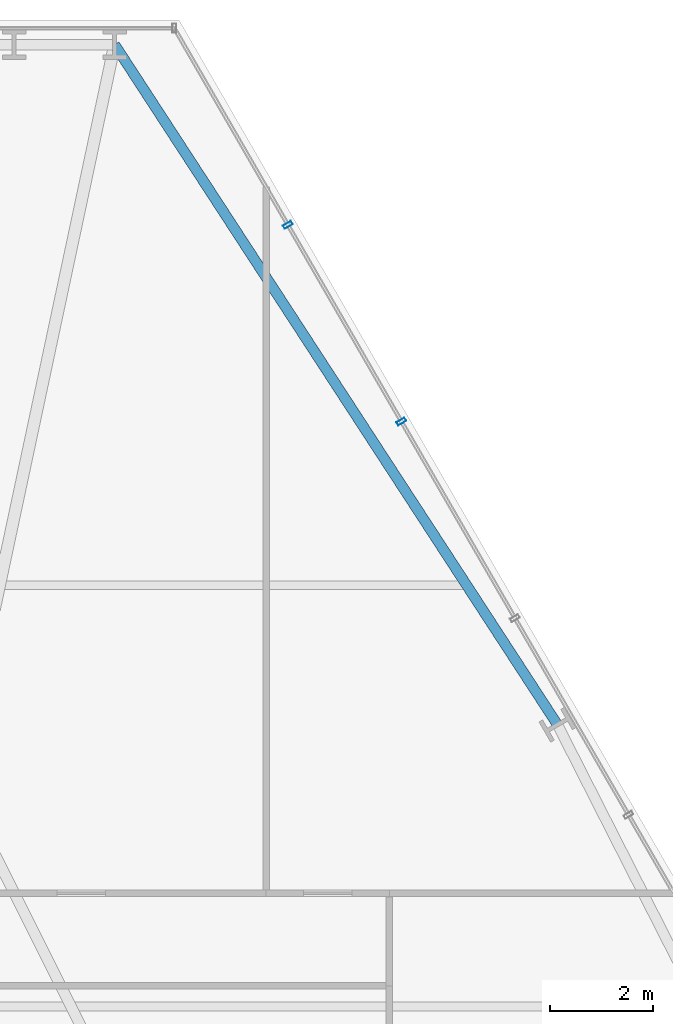
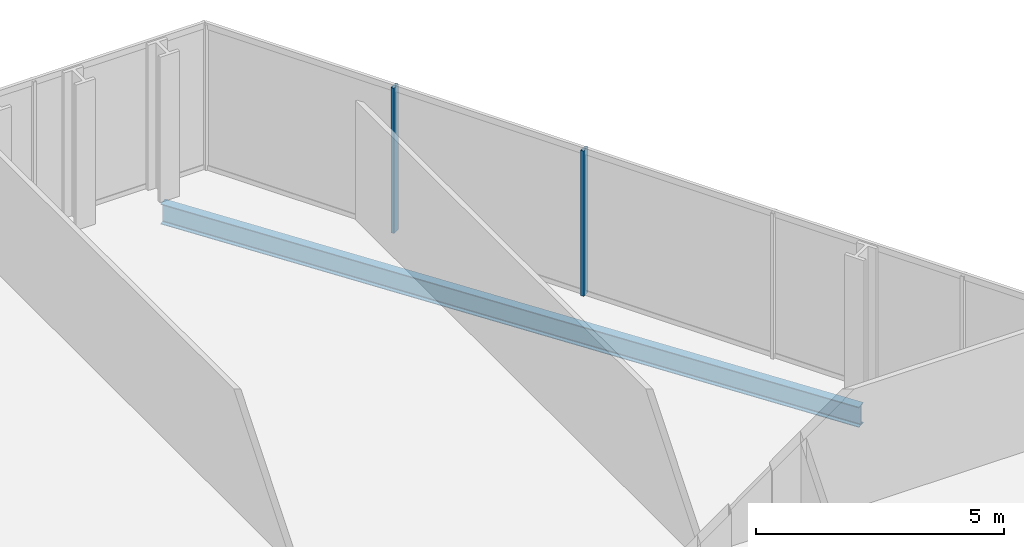
# One storey, part 25 of 32: 2 members, 1 beam, 1 element without a shape of its own.
"""IFC4 building model written with IfcOpenShell, lengths in metres."""

from ifc_helpers import new_model, si_unit, direction, frame, origin, origin_2d, place, context, subcontext, project, spatial, hollow_rectangle, i_section, extrude, material, layer, layer_set, material_profile, profile_set, type_object, element, aggregate, save


model = new_model("IFC4")

# Units and contexts
model_context = context("Model", 3, precision=1e-05, world=origin(), true_north=direction((0.0, 1.0)))
body_context = subcontext(model_context, "Body", "Model", "MODEL_VIEW")
ifc_project = project(units=[si_unit("LENGTHUNIT", "METRE"), si_unit("AREAUNIT", "SQUARE_METRE"), si_unit("VOLUMEUNIT", "CUBIC_METRE"), si_unit("PLANEANGLEUNIT", "RADIAN"), si_unit("MASSUNIT", "GRAM", prefix="KILO")], contexts=[model_context])

# Site, building, storey
site_placement = place(None, origin())
site = spatial("IfcSite", under=ifc_project, at=site_placement, CompositionType="ELEMENT")
building_placement = place(site_placement, origin())
building = spatial("IfcBuilding", under=site, at=building_placement, Name="Ndaravel Arena Tower", CompositionType="ELEMENT")
storey_placement = place(building_placement, frame((0.0, 0.0, 51.199951171875)))
storey = spatial("IfcBuildingStorey", under=building, at=storey_placement, Name="L10", CompositionType="ELEMENT", Elevation=51.199951171875)

# Beam
ifc_material_1 = material(Name="Steel S355", Category="steel")
ifc_material_profile_1 = material_profile(ifc_material_1, i_section(OverallWidth=0.199951171875, OverallDepth=0.5, WebThickness=0.01025390625, FlangeThickness=0.01611328125, FilletRadius=0.02099609375, at=origin_2d()), Name="IPE 500")
ifc_profile_set_1 = profile_set([ifc_material_profile_1], Name="Steel S355")
beam_type = type_object("IfcBeamType", Name="BM-SPAN-IPE500", PredefinedType="SPANDREL", material=ifc_profile_set_1)
beam_placement = place(storey_placement, frame((57.476318359375, 32.285400390625, -0.469970703125), z_axis=(-0.545711257889, 0.837973282995, 0.0), x_axis=(-0.837973282995, -0.545711257889, 0.0)))
element("IfcBeam", 1, at=beam_placement, inside=storey, type_object=beam_type, Name="L10 Perimeter Spandrel Beam SP-10", PredefinedType="SPANDREL", context=body_context, shape_type="SweptSolid", body=[
    extrude(i_section(OverallWidth=0.199951171875, OverallDepth=0.5, WebThickness=0.01025390625, FlangeThickness=0.01611328125, FilletRadius=0.02099609375, at=origin_2d()), origin(), (0.0, 0.0, 1.0), 15.807373046875),
])

# Curtain wall, members
ifc_material_2 = material(Name="Aluminium", Category="aluminium")
ifc_layer = layer(ifc_material_2, 0.179931640625)
ifc_layer_set = layer_set([ifc_layer], Name="Aluminium")
curtain_wall_type = type_object("IfcCurtainWallType", Name="CW-SYS-03", PredefinedType="NOTDEFINED", material=ifc_layer_set)
curtain_wall_placement = place(storey_placement, origin())
curtain_wall = element("IfcCurtainWall", 2, at=curtain_wall_placement, inside=storey, type_object=curtain_wall_type, Name="L10 Faceted Crystal Curtain Wall CW-L10-E03", PredefinedType="NOTDEFINED")
ifc_material_3 = material(Name="Aluminium", Category="aluminium")
ifc_material_profile_2 = material_profile(ifc_material_3, hollow_rectangle(XDim=0.074951171875, YDim=0.179931640625, WallThickness=0.00390625, at=origin_2d()), Name="CW MULLION 75x180x4")
ifc_profile_set_2 = profile_set([ifc_material_profile_2], Name="Aluminium")
member_type = type_object("IfcMemberType", Name="MEM-CW-MUL180", PredefinedType="MULLION", material=ifc_profile_set_2)
member_1_placement = place(storey_placement, frame((54.43603515625, 38.19091796875, 0.0), z_axis=(0.0, 0.0, 1.0), x_axis=(-0.5, 0.866025403784, 0.0)))
member_1 = element("IfcMember", 3, at=member_1_placement, type_object=member_type, Name="CW-L10-E03 Mullion 05", PredefinedType="MULLION", context=body_context, shape_type="SweptSolid", body=[
    extrude(hollow_rectangle(XDim=0.074951171875, YDim=0.179931640625, WallThickness=0.00390625, at=origin_2d()), origin(), (0.0, 0.0, 1.0), 3.580078125),
])
member_2_placement = place(storey_placement, frame((52.224609375, 42.02099609375, 0.0), z_axis=(0.0, 0.0, 1.0), x_axis=(-0.5, 0.866025403784, 0.0)))
member_2 = element("IfcMember", 4, at=member_2_placement, type_object=member_type, Name="CW-L10-E03 Mullion 06", PredefinedType="MULLION", context=body_context, shape_type="SweptSolid", body=[
    extrude(hollow_rectangle(XDim=0.074951171875, YDim=0.179931640625, WallThickness=0.00390625, at=origin_2d()), origin(), (0.0, 0.0, 1.0), 3.580078125),
])
aggregate(curtain_wall, [member_1, member_2])

save(model, "model.ifc")
